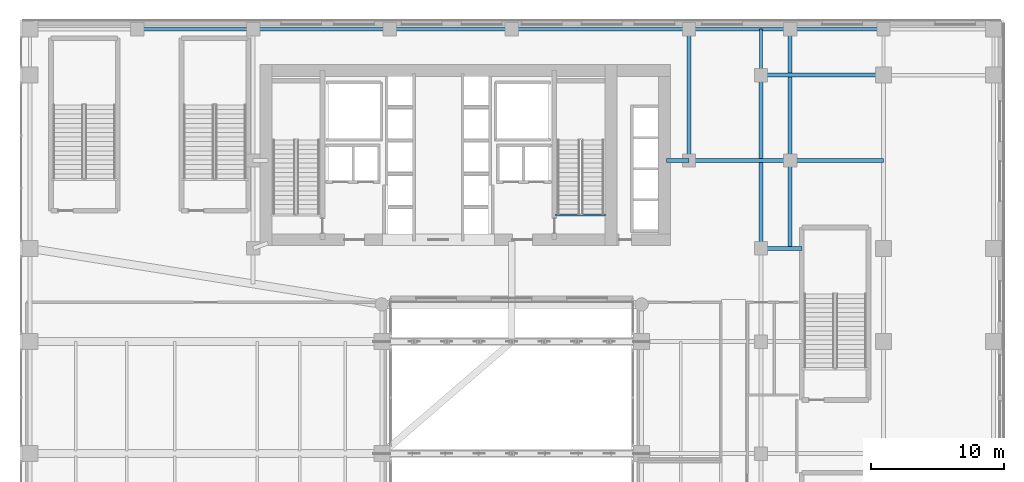
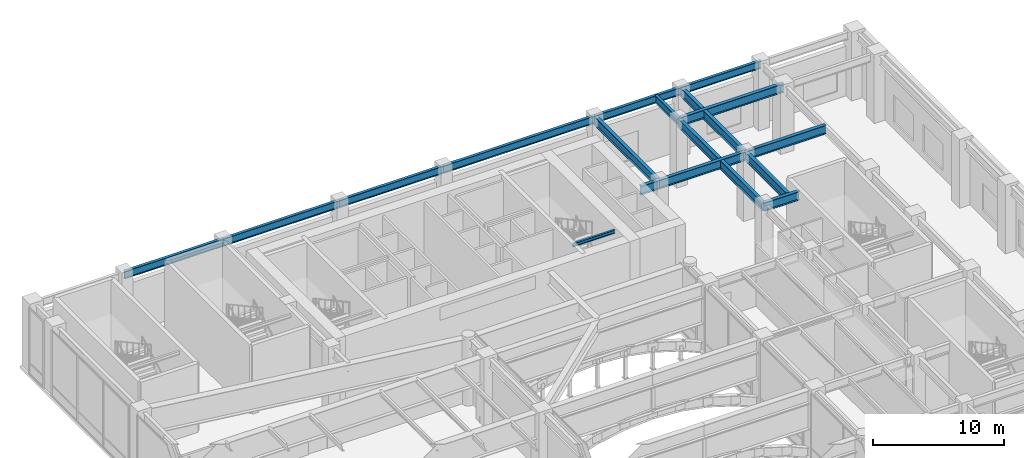
# One storey, part 33 of 50: 17 beams.
"""IFC4 building model written with IfcOpenShell, lengths in metres."""

from ifc_helpers import new_model, si_unit, direction, frame, origin, origin_2d, place, context, subcontext, project, spatial, i_section, extrude, source, transform, mapped, material, material_profile, profile_set, type_object, type_shapes, element, save


model = new_model("IFC4")

# Units and contexts
model_context = context("Model", 3, precision=1e-05, world=origin(), true_north=direction((0.0, 1.0)))
body_context = subcontext(model_context, "Body", "Model", "MODEL_VIEW")
ifc_project = project(units=[si_unit("LENGTHUNIT", "METRE"), si_unit("AREAUNIT", "SQUARE_METRE"), si_unit("VOLUMEUNIT", "CUBIC_METRE"), si_unit("PLANEANGLEUNIT", "RADIAN"), si_unit("MASSUNIT", "GRAM", prefix="KILO")], contexts=[model_context])

# Site, building, storey
site_placement = place(None, origin())
site = spatial("IfcSite", under=ifc_project, at=site_placement, CompositionType="ELEMENT")
building_placement = place(site_placement, origin())
building = spatial("IfcBuilding", under=site, at=building_placement, Name="Tolvann Quenvar Hotel", CompositionType="ELEMENT")
storey_placement = place(building_placement, frame((0.0, 0.0, 16.0)))
storey = spatial("IfcBuildingStorey", under=building, at=storey_placement, Name="L03", CompositionType="ELEMENT", Elevation=16.0)

# Beams
ifc_material = material(Name="Steel Grade 350", Category="steel")
ifc_material_profile_1 = material_profile(ifc_material, i_section(OverallWidth=0.300048828125, OverallDepth=0.81591796875, WebThickness=0.010009765625, FlangeThickness=0.028076171875, at=origin_2d()), Name="800WB192")
ifc_profile_set_1 = profile_set([ifc_material_profile_1], Name="Steel Grade 350")
beam_type_1 = type_object("IfcBeamType", Name="BM_GIRD_800WB192", PredefinedType="BEAM", material=ifc_profile_set_1)
shared_shape_1 = source(origin(), body_context, "Body", "SweptSolid", [
    extrude(i_section(OverallWidth=0.300048828125, OverallDepth=0.81591796875, WebThickness=0.010009765625, FlangeThickness=0.028076171875, at=origin_2d()), origin(), (0.0, 0.0, 1.0), 9.199951171875),
])
beam_1_placement = place(storey_placement, frame((47.199951171875, 44.39990234375, 5.73193359375), z_axis=(1.0, 0.0, 0.0), x_axis=(0.0, 1.0, 0.0)))
element("IfcBeam", 1, at=beam_1_placement, inside=storey, type_object=beam_type_1, Name="BM-L03-GE2-6", PredefinedType="BEAM", context=body_context, shape_type="MappedRepresentation", body=[
    mapped(shared_shape_1, transform((0.0, 0.0, 0.0), x_axis=(1.0, 0.0, 0.0), y_axis=(0.0, 1.0, 0.0), z_axis=(0.0, 0.0, 1.0), scale=1.0)),
])
shared_shape_2 = source(origin(), body_context, "Body", "SweptSolid", [
    extrude(i_section(OverallWidth=0.300048828125, OverallDepth=0.81591796875, WebThickness=0.010009765625, FlangeThickness=0.028076171875, at=origin_2d()), origin(), (0.0, 0.0, 1.0), 7.0),
])
beam_2_placement = place(storey_placement, frame((49.39990234375, 38.0, 5.73193359375), z_axis=(1.0, 0.0, 0.0), x_axis=(0.0, 1.0, 0.0)))
element("IfcBeam", 2, at=beam_2_placement, inside=storey, type_object=beam_type_1, Name="BM-L03-EW-PIN3", PredefinedType="BEAM", context=body_context, shape_type="MappedRepresentation", body=[
    mapped(shared_shape_2, transform((0.0, 0.0, 0.0), x_axis=(1.0, 0.0, 0.0), y_axis=(0.0, 1.0, 0.0), z_axis=(0.0, 0.0, 1.0), scale=1.0)),
])
shared_shape_3 = source(origin(), body_context, "Body", "SweptSolid", [
    extrude(i_section(OverallWidth=0.300048828125, OverallDepth=0.81591796875, WebThickness=0.010009765625, FlangeThickness=0.028076171875, at=origin_2d()), origin(), (0.0, 0.0, 1.0), 13.0),
])
beam_3_placement = place(storey_placement, frame((47.199951171875, 31.39990234375, 5.73193359375), z_axis=(0.0, 1.0, 0.0), x_axis=(-1.0, 0.0, 0.0)))
element("IfcBeam", 3, at=beam_3_placement, inside=storey, type_object=beam_type_1, Name="BM-L03-NS-H-4", PredefinedType="BEAM", context=body_context, shape_type="MappedRepresentation", body=[
    mapped(shared_shape_3, transform((0.0, 0.0, 0.0), x_axis=(1.0, 0.0, 0.0), y_axis=(0.0, 1.0, 0.0), z_axis=(0.0, 0.0, 1.0), scale=1.0)),
])
ifc_material_profile_2 = material_profile(ifc_material, i_section(OverallWidth=0.25, OverallDepth=0.699951171875, WebThickness=0.010009765625, FlangeThickness=0.02392578125, at=origin_2d()), Name="700WB150")
ifc_profile_set_2 = profile_set([ifc_material_profile_2], Name="Steel Grade 350")
beam_type_2 = type_object("IfcBeamType", Name="BM_GIRD_700WB150", PredefinedType="BEAM", material=ifc_profile_set_2)
shared_shape_4 = source(origin(), body_context, "Body", "SweptSolid", [
    extrude(i_section(OverallWidth=0.25, OverallDepth=0.699951171875, WebThickness=0.010009765625, FlangeThickness=0.02392578125, at=origin_2d()), origin(), (0.0, 0.0, 1.0), 3.4501953125),
])
beam_4_placement = place(storey_placement, frame((47.199951171875, 44.39990234375, 5.7900390625), z_axis=(0.0, 1.0, 0.0), x_axis=(-1.0, 0.0, 0.0)))
element("IfcBeam", 4, at=beam_4_placement, inside=storey, type_object=beam_type_2, Name="BM-L03-NSN-H", PredefinedType="BEAM", context=body_context, shape_type="MappedRepresentation", body=[
    mapped(shared_shape_4, transform((0.0, 0.0, 0.0), x_axis=(1.0, 0.0, 0.0), y_axis=(0.0, 1.0, 0.0), z_axis=(0.0, 0.0, 1.0), scale=1.0)),
])
shared_shape_5 = source(origin(), body_context, "Body", "SweptSolid", [
    extrude(i_section(OverallWidth=0.25, OverallDepth=0.699951171875, WebThickness=0.010009765625, FlangeThickness=0.02392578125, at=origin_2d()), origin(), (0.0, 0.0, 1.0), 8.7001953125),
])
beam_5_placement = place(storey_placement, frame((0.39990234375, 47.85009765625, 5.7900390625), z_axis=(1.0, 0.0, 0.0), x_axis=(0.0, 1.0, 0.0)))
element("IfcBeam", 5, at=beam_5_placement, inside=storey, type_object=beam_type_2, Name="BM-L03-EWN-1", PredefinedType="BEAM", context=body_context, shape_type="MappedRepresentation", body=[
    mapped(shared_shape_5, transform((0.0, 0.0, 0.0), x_axis=(1.0, 0.0, 0.0), y_axis=(0.0, 1.0, 0.0), z_axis=(0.0, 0.0, 1.0), scale=1.0)),
])
shared_shape_6 = source(origin(), body_context, "Body", "SweptSolid", [
    extrude(i_section(OverallWidth=0.25, OverallDepth=0.699951171875, WebThickness=0.010009765625, FlangeThickness=0.02392578125, at=origin_2d()), origin(), (0.0, 0.0, 1.0), 10.25),
])
beam_6_placement = place(storey_placement, frame((9.10009765625, 47.85009765625, 5.7900390625), z_axis=(1.0, 0.0, 0.0), x_axis=(0.0, 1.0, 0.0)))
element("IfcBeam", 6, at=beam_6_placement, inside=storey, type_object=beam_type_2, Name="BM-L03-EWN-2", PredefinedType="BEAM", context=body_context, shape_type="MappedRepresentation", body=[
    mapped(shared_shape_6, transform((0.0, 0.0, 0.0), x_axis=(1.0, 0.0, 0.0), y_axis=(0.0, 1.0, 0.0), z_axis=(0.0, 0.0, 1.0), scale=1.0)),
])
shared_shape_7 = source(origin(), body_context, "Body", "SweptSolid", [
    extrude(i_section(OverallWidth=0.25, OverallDepth=0.699951171875, WebThickness=0.010009765625, FlangeThickness=0.02392578125, at=origin_2d()), origin(), (0.0, 0.0, 1.0), 9.14990234375),
])
beam_7_placement = place(storey_placement, frame((19.35009765625, 47.85009765625, 5.7900390625), z_axis=(1.0, 0.0, 0.0), x_axis=(0.0, 1.0, 0.0)))
element("IfcBeam", 7, at=beam_7_placement, inside=storey, type_object=beam_type_2, Name="BM-L03-EWN-3", PredefinedType="BEAM", context=body_context, shape_type="MappedRepresentation", body=[
    mapped(shared_shape_7, transform((0.0, 0.0, 0.0), x_axis=(1.0, 0.0, 0.0), y_axis=(0.0, 1.0, 0.0), z_axis=(0.0, 0.0, 1.0), scale=1.0)),
])
shared_shape_8 = source(origin(), body_context, "Body", "SweptSolid", [
    extrude(i_section(OverallWidth=0.25, OverallDepth=0.699951171875, WebThickness=0.010009765625, FlangeThickness=0.02392578125, at=origin_2d()), origin(), (0.0, 0.0, 1.0), 13.300048828125),
])
beam_8_placement = place(storey_placement, frame((28.5, 47.85009765625, 5.7900390625), z_axis=(1.0, 0.0, 0.0), x_axis=(0.0, 1.0, 0.0)))
element("IfcBeam", 8, at=beam_8_placement, inside=storey, type_object=beam_type_2, Name="BM-L03-EWN-4", PredefinedType="BEAM", context=body_context, shape_type="MappedRepresentation", body=[
    mapped(shared_shape_8, transform((0.0, 0.0, 0.0), x_axis=(1.0, 0.0, 0.0), y_axis=(0.0, 1.0, 0.0), z_axis=(0.0, 0.0, 1.0), scale=1.0)),
])
shared_shape_9 = source(origin(), body_context, "Body", "SweptSolid", [
    extrude(i_section(OverallWidth=0.25, OverallDepth=0.699951171875, WebThickness=0.010009765625, FlangeThickness=0.02392578125, at=origin_2d()), origin(), (0.0, 0.0, 1.0), 7.599853515625),
])
beam_9_placement = place(storey_placement, frame((41.800048828125, 47.85009765625, 5.7900390625), z_axis=(1.0, 0.0, 0.0), x_axis=(0.0, 1.0, 0.0)))
element("IfcBeam", 9, at=beam_9_placement, inside=storey, type_object=beam_type_2, Name="BM-L03-EWN-5", PredefinedType="BEAM", context=body_context, shape_type="MappedRepresentation", body=[
    mapped(shared_shape_9, transform((0.0, 0.0, 0.0), x_axis=(1.0, 0.0, 0.0), y_axis=(0.0, 1.0, 0.0), z_axis=(0.0, 0.0, 1.0), scale=1.0)),
])
shared_shape_10 = source(origin(), body_context, "Body", "SweptSolid", [
    extrude(i_section(OverallWidth=0.25, OverallDepth=0.699951171875, WebThickness=0.010009765625, FlangeThickness=0.02392578125, at=origin_2d()), origin(), (0.0, 0.0, 1.0), 7.0),
])
type_shapes(beam_type_2, [shared_shape_4, shared_shape_5, shared_shape_6, shared_shape_7, shared_shape_8, shared_shape_9, shared_shape_10])
beam_10_placement = place(storey_placement, frame((49.39990234375, 47.85009765625, 5.7900390625), z_axis=(1.0, 0.0, 0.0), x_axis=(0.0, 1.0, 0.0)))
element("IfcBeam", 10, at=beam_10_placement, inside=storey, type_object=beam_type_2, Name="BM-L03-EWN-6", PredefinedType="BEAM", context=body_context, shape_type="MappedRepresentation", body=[
    mapped(shared_shape_10, transform((0.0, 0.0, 0.0), x_axis=(1.0, 0.0, 0.0), y_axis=(0.0, 1.0, 0.0), z_axis=(0.0, 0.0, 1.0), scale=1.0)),
])
shared_shape_11 = source(origin(), body_context, "Body", "SweptSolid", [
    extrude(i_section(OverallWidth=0.300048828125, OverallDepth=0.81591796875, WebThickness=0.010009765625, FlangeThickness=0.028076171875, at=origin_2d()), origin(), (0.0, 0.0, 1.0), 6.60009765625),
])
beam_11_placement = place(storey_placement, frame((49.39990234375, 31.39990234375, 5.73193359375), z_axis=(0.0, 1.0, 0.0), x_axis=(-1.0, 0.0, 0.0)))
element("IfcBeam", 11, at=beam_11_placement, inside=storey, type_object=beam_type_1, Name="BM-L03-NSB-PIN1", PredefinedType="BEAM", context=body_context, shape_type="MappedRepresentation", body=[
    mapped(shared_shape_11, transform((0.0, 0.0, 0.0), x_axis=(1.0, 0.0, 0.0), y_axis=(0.0, 1.0, 0.0), z_axis=(0.0, 0.0, 1.0), scale=1.0)),
])
shared_shape_12 = source(origin(), body_context, "Body", "SweptSolid", [
    extrude(i_section(OverallWidth=0.300048828125, OverallDepth=0.81591796875, WebThickness=0.010009765625, FlangeThickness=0.028076171875, at=origin_2d()), origin(), (0.0, 0.0, 1.0), 9.85009765625),
])
for number, where, z_axis, x_axis, name in (
    (12, (41.800048828125, 38.0, 5.73193359375), (0.0, 1.0, 0.0), (-1.0, 0.0, 0.0), "BM-L03-NSB-PHN2"),
    (13, (49.39990234375, 38.0, 5.73193359375), (0.0, 1.0, 0.0), (-1.0, 0.0, 0.0), "BM-L03-NSB-PIN2"),
):
    element("IfcBeam", number, at=place(storey_placement, frame(where, z_axis=z_axis, x_axis=x_axis)), inside=storey, type_object=beam_type_1, Name=name, PredefinedType="BEAM", context=body_context, shape_type="MappedRepresentation", body=[
        mapped(shared_shape_12, transform((0.0, 0.0, 0.0), x_axis=(1.0, 0.0, 0.0), y_axis=(0.0, 1.0, 0.0), z_axis=(0.0, 0.0, 1.0), scale=1.0)),
    ])
shared_shape_13 = source(origin(), body_context, "Body", "SweptSolid", [
    extrude(i_section(OverallWidth=0.300048828125, OverallDepth=0.81591796875, WebThickness=0.010009765625, FlangeThickness=0.028076171875, at=origin_2d()), origin(), (0.0, 0.0, 1.0), 1.699951171875),
])
beam_12_placement = place(storey_placement, frame((40.10009765625, 38.0, 5.73193359375), z_axis=(1.0, 0.0, 0.0), x_axis=(0.0, 1.0, 0.0)))
element("IfcBeam", 14, at=beam_12_placement, inside=storey, type_object=beam_type_1, Name="BM-L03-EW-PHN1", PredefinedType="BEAM", context=body_context, shape_type="MappedRepresentation", body=[
    mapped(shared_shape_13, transform((0.0, 0.0, 0.0), x_axis=(1.0, 0.0, 0.0), y_axis=(0.0, 1.0, 0.0), z_axis=(0.0, 0.0, 1.0), scale=1.0)),
])
shared_shape_14 = source(origin(), body_context, "Body", "SweptSolid", [
    extrude(i_section(OverallWidth=0.300048828125, OverallDepth=0.81591796875, WebThickness=0.010009765625, FlangeThickness=0.028076171875, at=origin_2d()), origin(), (0.0, 0.0, 1.0), 3.074951171875),
])
beam_13_placement = place(storey_placement, frame((47.199951171875, 31.39990234375, 5.73193359375), z_axis=(1.0, 0.0, 0.0), x_axis=(0.0, 1.0, 0.0)))
element("IfcBeam", 15, at=beam_13_placement, inside=storey, type_object=beam_type_1, Name="BM-L03-GE2-5", PredefinedType="BEAM", context=body_context, shape_type="MappedRepresentation", body=[
    mapped(shared_shape_14, transform((0.0, 0.0, 0.0), x_axis=(1.0, 0.0, 0.0), y_axis=(0.0, 1.0, 0.0), z_axis=(0.0, 0.0, 1.0), scale=1.0)),
])
shared_shape_15 = source(origin(), body_context, "Body", "SweptSolid", [
    extrude(i_section(OverallWidth=0.300048828125, OverallDepth=0.81591796875, WebThickness=0.010009765625, FlangeThickness=0.028076171875, at=origin_2d()), origin(), (0.0, 0.0, 1.0), 7.599853515625),
])
type_shapes(beam_type_1, [shared_shape_1, shared_shape_2, shared_shape_3, shared_shape_11, shared_shape_12, shared_shape_13, shared_shape_14, shared_shape_15])
beam_14_placement = place(storey_placement, frame((41.800048828125, 38.0, 5.73193359375), z_axis=(1.0, 0.0, 0.0), x_axis=(0.0, 1.0, 0.0)))
element("IfcBeam", 16, at=beam_14_placement, inside=storey, type_object=beam_type_1, Name="BM-L03-EW-PHN2", PredefinedType="BEAM", context=body_context, shape_type="MappedRepresentation", body=[
    mapped(shared_shape_15, transform((0.0, 0.0, 0.0), x_axis=(1.0, 0.0, 0.0), y_axis=(0.0, 1.0, 0.0), z_axis=(0.0, 0.0, 1.0), scale=1.0)),
])
ifc_material_profile_3 = material_profile(ifc_material, i_section(OverallWidth=0.166015625, OverallDepth=0.306884765625, WebThickness=0.006591796875, FlangeThickness=0.01171875, FilletRadius=0.011474609375, at=origin_2d()), Name="310UB46")
ifc_profile_set_3 = profile_set([ifc_material_profile_3], Name="Steel Grade 350")
beam_type_3 = type_object("IfcBeamType", Name="BM_JOIST_310UB46", PredefinedType="JOIST", material=ifc_profile_set_3)
shared_shape_16 = source(origin(), body_context, "Body", "SweptSolid", [
    extrude(i_section(OverallWidth=0.166015625, OverallDepth=0.306884765625, WebThickness=0.006591796875, FlangeThickness=0.01171875, FilletRadius=0.011474609375, at=origin_2d()), origin(), (0.0, 0.0, 1.0), 3.75),
])
type_shapes(beam_type_3, [shared_shape_16])
beam_15_placement = place(storey_placement, frame((31.800048828125, 33.9150390625, 5.986572265625), z_axis=(1.0, 0.0, 0.0), x_axis=(0.0, 1.0, 0.0)))
element("IfcBeam", 17, at=beam_15_placement, inside=storey, type_object=beam_type_3, Name="BM-HDR-ST-C2-L04", PredefinedType="JOIST", context=body_context, shape_type="MappedRepresentation", body=[
    mapped(shared_shape_16, transform((0.0, 0.0, 0.0), x_axis=(1.0, 0.0, 0.0), y_axis=(0.0, 1.0, 0.0), z_axis=(0.0, 0.0, 1.0), scale=1.0)),
])

save(model, "model.ifc")
